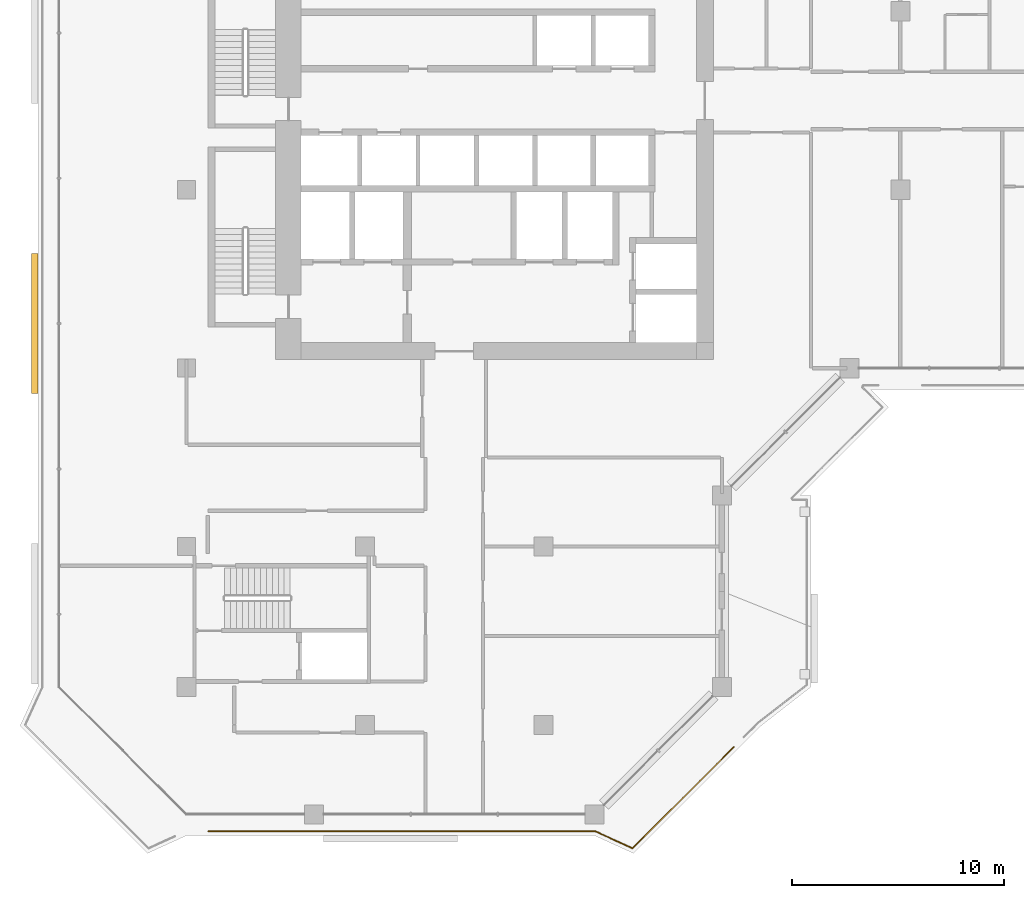
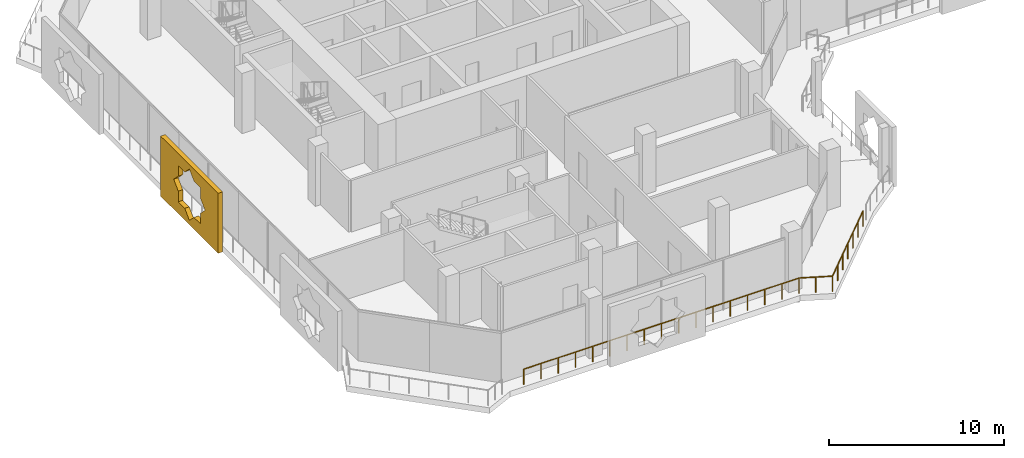
# One storey, part 16 of 21: 1 covering, 1 railing.
"""IFC4 building model written with IfcOpenShell, lengths in metres."""

from ifc_helpers import new_model, si_unit, direction, frame, origin, origin_2d, place, context, subcontext, project, spatial, polyline, circle, outline, extrude, material, material_profile, profile_set, type_object, element, save


model = new_model("IFC4")

# Units and contexts
model_context = context("Model", 3, precision=1e-05, world=origin(), true_north=direction((0.0, 1.0)))
body_context = subcontext(model_context, "Body", "Model", "MODEL_VIEW")
ifc_project = project(units=[si_unit("LENGTHUNIT", "METRE"), si_unit("AREAUNIT", "SQUARE_METRE"), si_unit("VOLUMEUNIT", "CUBIC_METRE"), si_unit("PLANEANGLEUNIT", "RADIAN"), si_unit("MASSUNIT", "GRAM", prefix="KILO")], contexts=[model_context])

# Site, building, storey
site_placement = place(None, origin())
site = spatial("IfcSite", under=ifc_project, at=site_placement, CompositionType="ELEMENT")
building_placement = place(site_placement, origin())
building = spatial("IfcBuilding", under=site, at=building_placement, Name="Kawkab Arch Medical Tower", CompositionType="ELEMENT")
storey_placement = place(building_placement, frame((0.0, 0.0, 230.60009765625)))
storey = spatial("IfcBuildingStorey", under=building, at=storey_placement, Name="L53", CompositionType="ELEMENT", Elevation=230.60009765625)

# Railing
ifc_material_1 = material(Name="Bronze anodised aluminium guard", Category="aluminium")
railing_type = type_object("IfcRailingType", Name="Loggia and terrace guard 1100", PredefinedType="GUARDRAIL", material=ifc_material_1)
railing_placement = place(storey_placement, frame((25.762939453125, -43.030029296875, 0.0)))
element("IfcRailing", 1, at=railing_placement, inside=storey, type_object=railing_type, Name="Guard L53.LOG-01.1.6", PredefinedType="GUARDRAIL", context=body_context, shape_type="SweptSolid", body=[
    extrude(circle(Radius=0.02392578125, at=origin_2d()), frame((0.0, 0.0, 1.076171875), z_axis=(-0.707088677399, -0.70712488451, 0.0), x_axis=(0.70712488451, -0.707088677399, 0.0)), (0.0, 0.0, 1.0), 6.742919921875),
    extrude(circle(Radius=0.02392578125, at=origin_2d()), frame((-4.767822265625, -4.76806640625, 1.076171875), z_axis=(-0.910044860056, 0.414509773934, 0.0), x_axis=(-0.414509773934, -0.910044860056, 0.0)), (0.0, 0.0, 1.0), 1.92529296875),
    extrude(circle(Radius=0.02392578125, at=origin_2d()), frame((-6.52001953125, -3.969970703125, 1.076171875), z_axis=(-1.0, 0.0, 0.0), x_axis=(0.0, -1.0, 0.0)), (0.0, 0.0, 1.0), 18.212890625),
    extrude(circle(Radius=0.02099609375, at=origin_2d()), origin(), (0.0, 0.0, 1.0), 1.052001953125),
    extrude(circle(Radius=0.02099609375, at=origin_2d()), frame((-0.794677734375, -0.794677734375, 0.0)), (0.0, 0.0, 1.0), 1.052001953125),
    extrude(circle(Radius=0.02099609375, at=origin_2d()), frame((-1.58935546875, -1.58935546875, 0.0)), (0.0, 0.0, 1.0), 1.052001953125),
    extrude(circle(Radius=0.02099609375, at=origin_2d()), frame((-2.3837890625, -2.384033203125, 0.0)), (0.0, 0.0, 1.0), 1.052001953125),
    extrude(circle(Radius=0.02099609375, at=origin_2d()), frame((-3.178466796875, -3.1787109375, 0.0)), (0.0, 0.0, 1.0), 1.052001953125),
    extrude(circle(Radius=0.02099609375, at=origin_2d()), frame((-3.97314453125, -3.973388671875, 0.0)), (0.0, 0.0, 1.0), 1.052001953125),
    extrude(circle(Radius=0.02099609375, at=origin_2d()), frame((-4.767822265625, -4.76806640625, 0.0)), (0.0, 0.0, 1.0), 1.052001953125),
    extrude(circle(Radius=0.02099609375, at=origin_2d()), frame((-5.64404296875, -4.369140625, 0.0)), (0.0, 0.0, 1.0), 1.052001953125),
    extrude(circle(Radius=0.02099609375, at=origin_2d()), frame((-6.52001953125, -3.969970703125, 0.0)), (0.0, 0.0, 1.0), 1.052001953125),
    extrude(circle(Radius=0.02099609375, at=origin_2d()), frame((-7.658203125, -3.969970703125, 0.0)), (0.0, 0.0, 1.0), 1.052001953125),
    extrude(circle(Radius=0.02099609375, at=origin_2d()), frame((-8.796630859375, -3.969970703125, 0.0)), (0.0, 0.0, 1.0), 1.052001953125),
    extrude(circle(Radius=0.02099609375, at=origin_2d()), frame((-9.93505859375, -3.969970703125, 0.0)), (0.0, 0.0, 1.0), 1.052001953125),
    extrude(circle(Radius=0.02099609375, at=origin_2d()), frame((-11.0732421875, -3.969970703125, 0.0)), (0.0, 0.0, 1.0), 1.052001953125),
    extrude(circle(Radius=0.02099609375, at=origin_2d()), frame((-12.21142578125, -3.969970703125, 0.0)), (0.0, 0.0, 1.0), 1.052001953125),
    extrude(circle(Radius=0.02099609375, at=origin_2d()), frame((-13.349853515625, -3.969970703125, 0.0)), (0.0, 0.0, 1.0), 1.052001953125),
    extrude(circle(Radius=0.02099609375, at=origin_2d()), frame((-14.48828125, -3.969970703125, 0.0)), (0.0, 0.0, 1.0), 1.052001953125),
    extrude(circle(Radius=0.02099609375, at=origin_2d()), frame((-15.62646484375, -3.969970703125, 0.0)), (0.0, 0.0, 1.0), 1.052001953125),
    extrude(circle(Radius=0.02099609375, at=origin_2d()), frame((-16.7646484375, -3.969970703125, 0.0)), (0.0, 0.0, 1.0), 1.052001953125),
    extrude(circle(Radius=0.02099609375, at=origin_2d()), frame((-17.903076171875, -3.969970703125, 0.0)), (0.0, 0.0, 1.0), 1.052001953125),
    extrude(circle(Radius=0.02099609375, at=origin_2d()), frame((-19.04150390625, -3.969970703125, 0.0)), (0.0, 0.0, 1.0), 1.052001953125),
    extrude(circle(Radius=0.02099609375, at=origin_2d()), frame((-20.1796875, -3.969970703125, 0.0)), (0.0, 0.0, 1.0), 1.052001953125),
    extrude(circle(Radius=0.02099609375, at=origin_2d()), frame((-21.31787109375, -3.969970703125, 0.0)), (0.0, 0.0, 1.0), 1.052001953125),
    extrude(circle(Radius=0.02099609375, at=origin_2d()), frame((-22.456298828125, -3.969970703125, 0.0)), (0.0, 0.0, 1.0), 1.052001953125),
    extrude(circle(Radius=0.02099609375, at=origin_2d()), frame((-23.5947265625, -3.969970703125, 0.0)), (0.0, 0.0, 1.0), 1.052001953125),
    extrude(circle(Radius=0.02099609375, at=origin_2d()), frame((-24.73291015625, -3.969970703125, 0.0)), (0.0, 0.0, 1.0), 1.052001953125),
])

# Covering
ifc_material_2 = material(Name="Bronze anodised aluminium mashrabiya panel, eight-point star pattern", Category="aluminium")
ifc_material_profile = material_profile(ifc_material_2, outline(polyline([(-3.300048828125, -2.10009765625), (3.300048828125, -2.10009765625), (3.300048828125, 2.10009765625), (-3.300048828125, 2.10009765625), (-3.300048828125, -2.10009765625)]), holes=[polyline([(1.800048828125, 0.0), (1.272705078125, 0.527099609375), (1.272705078125, 1.272705078125), (0.527099609375, 1.272705078125), (0.0, 1.800048828125), (-0.527099609375, 1.272705078125), (-1.272705078125, 1.272705078125), (-1.272705078125, 0.527099609375), (-1.800048828125, 0.0), (-1.272705078125, -0.527099609375), (-1.272705078125, -1.272705078125), (-0.527099609375, -1.272705078125), (0.0, -1.800048828125), (0.527099609375, -1.272705078125), (1.272705078125, -1.272705078125), (1.272705078125, -0.527099609375), (1.800048828125, 0.0)])]), Name="Mashrabiya panel 6600x4200")
ifc_profile_set = profile_set([ifc_material_profile], Name="Bronze anodised aluminium mashrabiya panel, eight-point star pattern")
covering_type = type_object("IfcCoveringType", Name="Mashrabiya panel 6600 x 4200", PredefinedType="USERDEFINED", material=ifc_profile_set)
covering_placement = place(storey_placement, frame((-7.0, -23.10009765625, 1.699951171875), z_axis=(-1.0, 0.0, 0.0), x_axis=(0.0, -1.0, 0.0)))
element("IfcCovering", 2, at=covering_placement, inside=storey, type_object=covering_type, Name="Mashrabiya panel L53.LOG-01-01.5", ObjectType="SCREEN", PredefinedType="USERDEFINED", context=body_context, shape_type="SweptSolid", body=[
    extrude(outline(polyline([(-3.300048828125, -2.10009765625), (3.300048828125, -2.10009765625), (3.300048828125, 2.10009765625), (-3.300048828125, 2.10009765625), (-3.300048828125, -2.10009765625)]), holes=[polyline([(1.800048828125, 0.0), (1.272705078125, 0.527099609375), (1.272705078125, 1.272705078125), (0.527099609375, 1.272705078125), (0.0, 1.800048828125), (-0.527099609375, 1.272705078125), (-1.272705078125, 1.272705078125), (-1.272705078125, 0.527099609375), (-1.800048828125, 0.0), (-1.272705078125, -0.527099609375), (-1.272705078125, -1.272705078125), (-0.527099609375, -1.272705078125), (0.0, -1.800048828125), (0.527099609375, -1.272705078125), (1.272705078125, -1.272705078125), (1.272705078125, -0.527099609375), (1.800048828125, 0.0)])]), origin(), (0.0, 0.0, 1.0), 0.300048828125),
])

save(model, "model.ifc")
